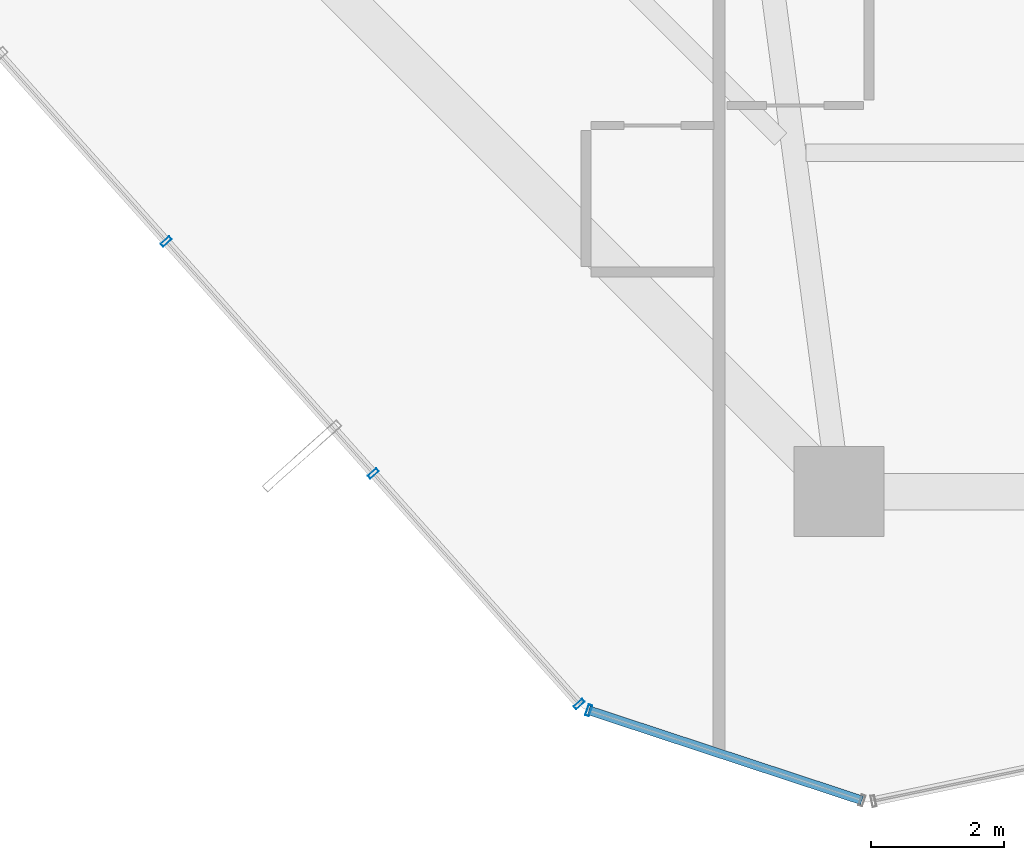
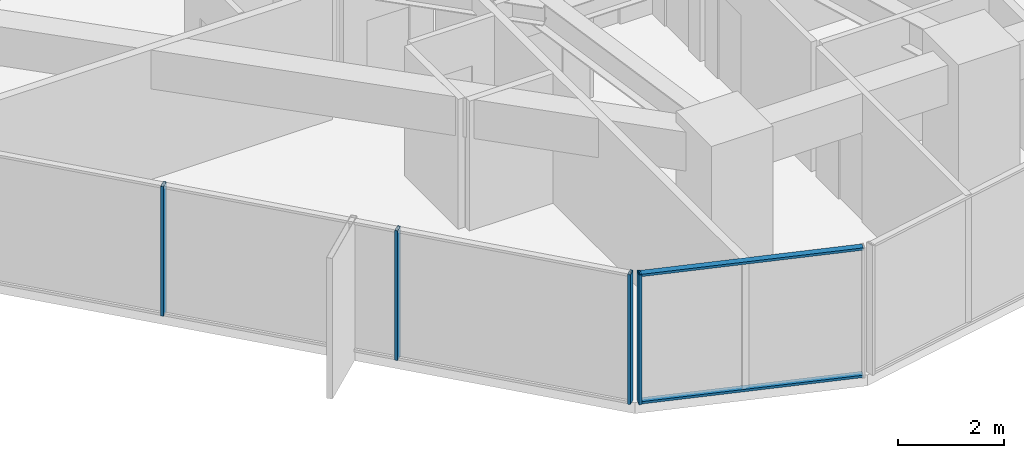
# One storey, part 2 of 38: 6 members, 2 elements without a shape of their own.
"""IFC4 building model written with IfcOpenShell, lengths in metres."""

import ifcopenshell
import ifcopenshell.guid

model = None  # the IFC model being written
_history = None  # IfcOwnerHistory: only IFC2X3 demands one
_inside = {}  # id of a spatial element -> (the spatial element, [elements in it])
_under = {}  # id of a project, library or spatial element -> (it, [spatial elements below it])
_declared = {}  # id of a project -> (the project, [libraries it declares])
_typed = {}  # id of a type object -> (the type object, [elements of that type])
_made_of = {}  # id of a material, layer set ... -> (it, [elements and type objects made of it])


def new_model(schema):
    """Start an empty IFC model of exactly this schema.

    Asked for "IFC4X3", IfcOpenShell would pick the latest addendum, in which some entities
    have other attributes; the version numbers below select the first issue.
    IFC2X3 requires an IfcOwnerHistory on every rooted entity: one is made here for all.
    """
    global model, _history
    if schema == "IFC4X3":
        model = ifcopenshell.file(schema_version=(4, 3, 0, 0))
    else:
        model = ifcopenshell.file(schema=schema)
    _inside.clear()
    _under.clear()
    _declared.clear()
    _typed.clear()
    _made_of.clear()
    _history = None
    if model.schema == "IFC2X3":
        org = make("IfcOrganization", Name="unknown")
        user = make(
            "IfcPersonAndOrganization",
            ThePerson=make("IfcPerson", FamilyName="unknown"),
            TheOrganization=org,
        )
        app = make(
            "IfcApplication",
            ApplicationDeveloper=org,
            Version="unknown",
            ApplicationFullName="unknown",
            ApplicationIdentifier="unknown",
        )
        _history = make(
            "IfcOwnerHistory",
            OwningUser=user,
            OwningApplication=app,
            ChangeAction="ADDED",
            CreationDate=0,
        )
    return model


def make(cls, **values):
    """One entity of the class cls with the attributes given. An attribute that is None is left unset."""
    return model.create_entity(
        cls, **{name: value for name, value in values.items() if value is not None}
    )


def rooted(cls, **values):
    """An entity with a GlobalId (a new one), such as an element, a storey or a relation."""
    return make(cls, GlobalId=ifcopenshell.guid.new(), OwnerHistory=_history, **values)


def si_unit(unit_type, name, prefix=None):
    """IfcSIUnit, for example si_unit("LENGTHUNIT", "METRE", prefix="MILLI")."""
    return make("IfcSIUnit", UnitType=unit_type, Prefix=prefix, Name=name)


def assignment(units):
    """IfcUnitAssignment: the units of a project."""
    return None if units is None else make("IfcUnitAssignment", Units=units)


def point(xyz):
    """IfcCartesianPoint."""
    return None if xyz is None else make("IfcCartesianPoint", Coordinates=xyz)


def direction(xyz):
    """IfcDirection."""
    return None if xyz is None else make("IfcDirection", DirectionRatios=xyz)


def frame(location, z_axis=None, x_axis=None):
    """IfcAxis2Placement3D, a coordinate frame: its origin and axes. An axis left out is left unset."""
    return make(
        "IfcAxis2Placement3D",
        Location=point(location),
        Axis=direction(z_axis),
        RefDirection=direction(x_axis),
    )


def frame_2d(location, x_axis=None):
    """IfcAxis2Placement2D, a coordinate frame in the plane: its origin and x axis."""
    return make(
        "IfcAxis2Placement2D", Location=point(location), RefDirection=direction(x_axis)
    )


def origin():
    """The frame at (0, 0, 0) with its axes left unset."""
    return frame((0.0, 0.0, 0.0))


def origin_2d():
    """The frame at (0, 0) in the plane with its x axis left unset."""
    return frame_2d((0.0, 0.0))


def place(relative_to, where):
    """IfcLocalPlacement: puts the frame where relative to a parent placement (None: the world)."""
    return make(
        "IfcLocalPlacement", PlacementRelTo=relative_to, RelativePlacement=where
    )


def context(
    kind, dimensions, precision=None, world=None, true_north=None, identifier=None
):
    """IfcGeometricRepresentationContext, for example the 3D "Model" context."""
    return make(
        "IfcGeometricRepresentationContext",
        ContextIdentifier=identifier,
        ContextType=kind,
        CoordinateSpaceDimension=dimensions,
        Precision=precision,
        WorldCoordinateSystem=world,
        TrueNorth=true_north,
    )


def subcontext(parent, identifier, kind, view, scale=None):
    """IfcGeometricRepresentationSubContext, for example "Body" below "Model"."""
    return make(
        "IfcGeometricRepresentationSubContext",
        ContextIdentifier=identifier,
        ContextType=kind,
        ParentContext=parent,
        TargetScale=scale,
        TargetView=view,
    )


def project(units=None, contexts=None):
    """IfcProject with its units and contexts."""
    return rooted(
        "IfcProject",
        Name="project",
        RepresentationContexts=contexts,
        UnitsInContext=assignment(units),
    )


def spatial(cls, under=None, at=None, **own):
    """A site, building, storey or space (cls), placed at a placement, below another one or the project."""
    s = rooted(cls, ObjectPlacement=at, **own)
    if under is not None:
        _under.setdefault(under.id(), (under, []))[1].append(s)
    return s


def profile(cls, at=None, kind="AREA", **sizes):
    """A parametric profile (cls). Its sizes go by their IFC names, for example OverallWidth=200.0."""
    return make(cls, ProfileType=kind, Position=at, **sizes)


def hollow_rectangle(**sizes):
    """IfcRectangleHollowProfileDef."""
    return profile("IfcRectangleHollowProfileDef", **sizes)


def extrude(swept, where, along, depth):
    """IfcExtrudedAreaSolid: the profile swept, set in the frame where, extruded along a direction by depth."""
    return make(
        "IfcExtrudedAreaSolid",
        SweptArea=swept,
        Position=where,
        ExtrudedDirection=direction(along),
        Depth=depth,
    )


def shape(context_of_items, identifier, shape_type, items):
    """IfcShapeRepresentation: the items that make up one representation, for example the "Body"."""
    return make(
        "IfcShapeRepresentation",
        ContextOfItems=context_of_items,
        RepresentationIdentifier=identifier,
        RepresentationType=shape_type,
        Items=items,
    )


def source(mapping_origin, context_of_items, identifier, shape_type, items):
    """IfcRepresentationMap: a shape defined once, which mapped items show again and again."""
    return make(
        "IfcRepresentationMap",
        MappingOrigin=mapping_origin,
        MappedRepresentation=shape(context_of_items, identifier, shape_type, items),
    )


def transform(
    local_origin,
    x_axis=None,
    y_axis=None,
    z_axis=None,
    scale=None,
    scale2=None,
    scale3=None,
    uniform=True,
):
    """IfcCartesianTransformationOperator3D, or its non-uniform kind. x_axis, y_axis, z_axis: its Axis1, 2, 3."""
    if uniform:
        return make(
            "IfcCartesianTransformationOperator3D",
            Axis1=direction(x_axis),
            Axis2=direction(y_axis),
            LocalOrigin=point(local_origin),
            Scale=scale,
            Axis3=direction(z_axis),
        )
    return make(
        "IfcCartesianTransformationOperator3DnonUniform",
        Axis1=direction(x_axis),
        Axis2=direction(y_axis),
        LocalOrigin=point(local_origin),
        Scale=scale,
        Axis3=direction(z_axis),
        Scale2=scale2,
        Scale3=scale3,
    )


def mapped(mapping_source, mapping_target):
    """IfcMappedItem: shows the shape of a source again, moved by a transform."""
    return make(
        "IfcMappedItem", MappingSource=mapping_source, MappingTarget=mapping_target
    )


def material(Name=None, Category=None):
    """IfcMaterial."""
    return make("IfcMaterial", Name=Name, Category=Category)


def layer(
    of_material, thickness, ventilated=None, Name=None, Category=None, Priority=None
):
    """IfcMaterialLayer: one layer of a wall or slab, of a material (None: an air gap)."""
    return make(
        "IfcMaterialLayer",
        Material=of_material,
        LayerThickness=thickness,
        IsVentilated=ventilated,
        Name=Name,
        Category=Category,
        Priority=Priority,
    )


def layer_set(layers, Name=None):
    """IfcMaterialLayerSet."""
    return make("IfcMaterialLayerSet", MaterialLayers=layers, LayerSetName=Name)


def material_profile(
    of_material, cross_section, Name=None, Category=None, Priority=None
):
    """IfcMaterialProfile: a cross section and its material."""
    return make(
        "IfcMaterialProfile",
        Name=Name,
        Material=of_material,
        Profile=cross_section,
        Priority=Priority,
        Category=Category,
    )


def profile_set(profiles, Name=None, composite=None):
    """IfcMaterialProfileSet."""
    return make(
        "IfcMaterialProfileSet",
        Name=Name,
        MaterialProfiles=profiles,
        CompositeProfile=composite,
    )


def made_of(thing, what):
    """Note that an element or type object is made of a material, layer set ...; save() writes the relation."""
    if what is not None:
        _made_of.setdefault(what.id(), (what, []))[1].append(thing)
    return thing


def type_object(cls, material=None, **own):
    """A type object (cls), such as IfcWallType, which elements share."""
    return made_of(rooted(cls, **own), material)


def element(
    cls,
    number,
    at=None,
    inside=None,
    cuts=None,
    type_object=None,
    material=None,
    context=None,
    identifier="Body",
    shape_type=None,
    held_by="IfcProductDefinitionShape",
    body=None,
    shapes=None,
    **own,
):
    """One element of the class cls, such as IfcWall. Its Tag is "e" and its number.

    at: its placement. inside: the storey or other place that contains it. cuts: it is an
    opening in that element (IfcRelVoidsElement). A single representation is given by context,
    identifier, shape_type and body (its items); several are given by shapes. held_by: the class
    of the entity that holds the representations. save() writes the other relations.
    """
    e = rooted(cls, Tag="e%d" % number, ObjectPlacement=at, **own)
    if body is not None:
        shapes = [shape(context, identifier, shape_type, body)]
    if shapes is not None:
        e.Representation = make(held_by, Representations=shapes)
    if inside is not None:
        _inside.setdefault(inside.id(), (inside, []))[1].append(e)
    if cuts is not None:
        rooted(
            "IfcRelVoidsElement", RelatingBuildingElement=cuts, RelatedOpeningElement=e
        )
    if type_object is not None:
        _typed.setdefault(type_object.id(), (type_object, []))[1].append(e)
    return made_of(e, material)


def aggregate(whole, parts):
    """IfcRelAggregates: a whole, such as a stair, and the parts it consists of."""
    return rooted("IfcRelAggregates", RelatingObject=whole, RelatedObjects=parts)


def save(model, path):
    """Write the relations noted so far, then the file.

    IfcRelAggregates (storeys below a building ...), IfcRelContainedInSpatialStructure (elements
    in a storey), IfcRelDefinesByType, IfcRelAssociatesMaterial and IfcRelDeclares: one each for
    every whole, place, type object, material and project.
    """
    for whole, parts in _under.values():
        aggregate(whole, parts)
    for where, things in _inside.values():
        rooted(
            "IfcRelContainedInSpatialStructure",
            RelatedElements=things,
            RelatingStructure=where,
        )
    for kind, things in _typed.values():
        rooted("IfcRelDefinesByType", RelatedObjects=things, RelatingType=kind)
    for what, things in _made_of.values():
        rooted("IfcRelAssociatesMaterial", RelatedObjects=things, RelatingMaterial=what)
    for by, libraries in _declared.values():
        rooted("IfcRelDeclares", RelatingContext=by, RelatedDefinitions=libraries)
    model.write(path)


model = new_model("IFC4")

# Units and contexts
model_context = context("Model", 3, precision=1e-05, world=origin(), true_north=direction((0.0, 1.0)))
body_context = subcontext(model_context, "Body", "Model", "MODEL_VIEW")
ifc_project = project(units=[si_unit("LENGTHUNIT", "METRE"), si_unit("AREAUNIT", "SQUARE_METRE"), si_unit("VOLUMEUNIT", "CUBIC_METRE"), si_unit("PLANEANGLEUNIT", "RADIAN"), si_unit("MASSUNIT", "GRAM", prefix="KILO")], contexts=[model_context])

# Site, building, storey
site_placement = place(None, origin())
site = spatial("IfcSite", under=ifc_project, at=site_placement, CompositionType="ELEMENT")
building_placement = place(site_placement, origin())
building = spatial("IfcBuilding", under=site, at=building_placement, Name="Veraguas Prism Commons", CompositionType="ELEMENT")
storey_placement = place(building_placement, frame((0.0, 0.0, 64.10009765625)))
storey = spatial("IfcBuildingStorey", under=building, at=storey_placement, Name="L17", CompositionType="ELEMENT", Elevation=64.10009765625)

# Curtain wall, members
ifc_material = material(Name="Anodised aluminium EN AW-6063 T6", Category="aluminium")
ifc_layer = layer(ifc_material, 0.169921875, Name="Unitised Flush Curtain Wall Zone 1", Category="aluminium")
ifc_layer_set = layer_set([ifc_layer], Name="Anodised aluminium EN AW-6063 T6")
curtain_wall_type = type_object("IfcCurtainWallType", Name="Unitised Flush Curtain Wall Zone 1", PredefinedType="NOTDEFINED", material=ifc_layer_set)
curtain_wall_1_placement = place(storey_placement, origin())
curtain_wall_1 = element("IfcCurtainWall", 1, at=curtain_wall_1_placement, inside=storey, type_object=curtain_wall_type, Name="Chamfer Curtain Wall L17-C5", PredefinedType="NOTDEFINED")
ifc_material_profile_1 = material_profile(ifc_material, hollow_rectangle(XDim=0.054931640625, YDim=0.135009765625, WallThickness=0.0029296875, at=origin_2d()), Name="AL55X135X3")
ifc_profile_set_1 = profile_set([ifc_material_profile_1], Name="Anodised aluminium EN AW-6063 T6")
member_type_1 = type_object("IfcMemberType", Name="Curtain Wall Transom Standard AL 55x135x3", PredefinedType="USERDEFINED", material=ifc_profile_set_1)
shared_shape_1 = source(origin(), body_context, "Body", "SweptSolid", [
    extrude(hollow_rectangle(XDim=0.054931640625, YDim=0.135009765625, WallThickness=0.0029296875, at=origin_2d()), origin(), (0.0, 0.0, 1.0), 4.31982421875),
])
member_1_placement = place(storey_placement, frame((14.84326171875, 3.11572265625, 0.02734375), z_axis=(0.949757233074, -0.31298753685, 0.0), x_axis=(0.0, 0.0, 1.0)))
member_1 = element("IfcMember", 2, at=member_1_placement, type_object=member_type_1, Name="CW-Z1 Transom 1", ObjectType="TRANSOM", PredefinedType="USERDEFINED", context=body_context, shape_type="MappedRepresentation", body=[
    mapped(shared_shape_1, transform((0.0, 0.0, 0.0), scale=1.0)),
])
member_2_placement = place(storey_placement, frame((14.84326171875, 3.11572265625, 2.972412109375), z_axis=(0.949757233074, -0.31298753685, 0.0), x_axis=(0.0, 0.0, 1.0)))
member_2 = element("IfcMember", 3, at=member_2_placement, type_object=member_type_1, Name="CW-Z1 Transom 2", ObjectType="TRANSOM", PredefinedType="USERDEFINED", context=body_context, shape_type="MappedRepresentation", body=[
    mapped(shared_shape_1, transform((0.0, 0.0, 0.0), scale=1.0)),
])

curtain_wall_2_placement = place(storey_placement, origin())
curtain_wall_2 = element("IfcCurtainWall", 4, at=curtain_wall_2_placement, inside=storey, type_object=curtain_wall_type, Name="Tower Facade Curtain Wall L17-F4", PredefinedType="NOTDEFINED")
ifc_material_profile_2 = material_profile(ifc_material, hollow_rectangle(XDim=0.06005859375, YDim=0.169921875, WallThickness=0.00390625, at=origin_2d()), Name="AL60X170X4")
ifc_profile_set_2 = profile_set([ifc_material_profile_2], Name="Anodised aluminium EN AW-6063 T6")
member_type_2 = type_object("IfcMemberType", Name="Curtain Wall Mullion Lower AL 60x170x4", PredefinedType="MULLION", material=ifc_profile_set_2)
shared_shape_2 = source(origin(), body_context, "Body", "SweptSolid", [
    extrude(hollow_rectangle(XDim=0.06005859375, YDim=0.169921875, WallThickness=0.00390625, at=origin_2d()), origin(), (0.0, 0.0, 1.0), 3.0),
])
member_3_placement = place(storey_placement, frame((8.495849609375, 10.1572265625, 0.0), z_axis=(0.0, 0.0, 1.0), x_axis=(0.666011867434, -0.745941145424, 0.0)))
member_3 = element("IfcMember", 5, at=member_3_placement, type_object=member_type_2, Name="CW-Z1 Mullion 3", PredefinedType="MULLION", context=body_context, shape_type="MappedRepresentation", body=[
    mapped(shared_shape_2, transform((0.0, 0.0, 0.0), scale=1.0)),
])
member_4_placement = place(storey_placement, frame((11.606689453125, 6.6728515625, 0.0), z_axis=(0.0, 0.0, 1.0), x_axis=(0.666011867434, -0.745941145424, 0.0)))
member_4 = element("IfcMember", 6, at=member_4_placement, type_object=member_type_2, Name="CW-Z1 Mullion 4", PredefinedType="MULLION", context=body_context, shape_type="MappedRepresentation", body=[
    mapped(shared_shape_2, transform((0.0, 0.0, 0.0), scale=1.0)),
])
member_5_placement = place(storey_placement, frame((14.69775390625, 3.211181640625, 0.0), z_axis=(0.0, 0.0, 1.0), x_axis=(0.666011867434, -0.745941145424, 0.0)))
member_5 = element("IfcMember", 7, at=member_5_placement, type_object=member_type_2, Name="CW-Z1 Mullion 5", PredefinedType="MULLION", context=body_context, shape_type="MappedRepresentation", body=[
    mapped(shared_shape_2, transform((0.0, 0.0, 0.0), scale=1.0)),
])
aggregate(curtain_wall_2, [member_3, member_4, member_5])

# Member
member_6_placement = place(storey_placement, frame((14.84326171875, 3.11572265625, 0.0), z_axis=(0.0, 0.0, 1.0), x_axis=(0.949755407973, -0.312993075045, 0.0)))
member_6 = element("IfcMember", 8, at=member_6_placement, type_object=member_type_2, Name="CW-Z1 Mullion 1", PredefinedType="MULLION", context=body_context, shape_type="MappedRepresentation", body=[
    mapped(shared_shape_2, transform((0.0, 0.0, 0.0), scale=1.0)),
])

aggregate(curtain_wall_1, [member_6, member_1, member_2])

save(model, "model.ifc")
